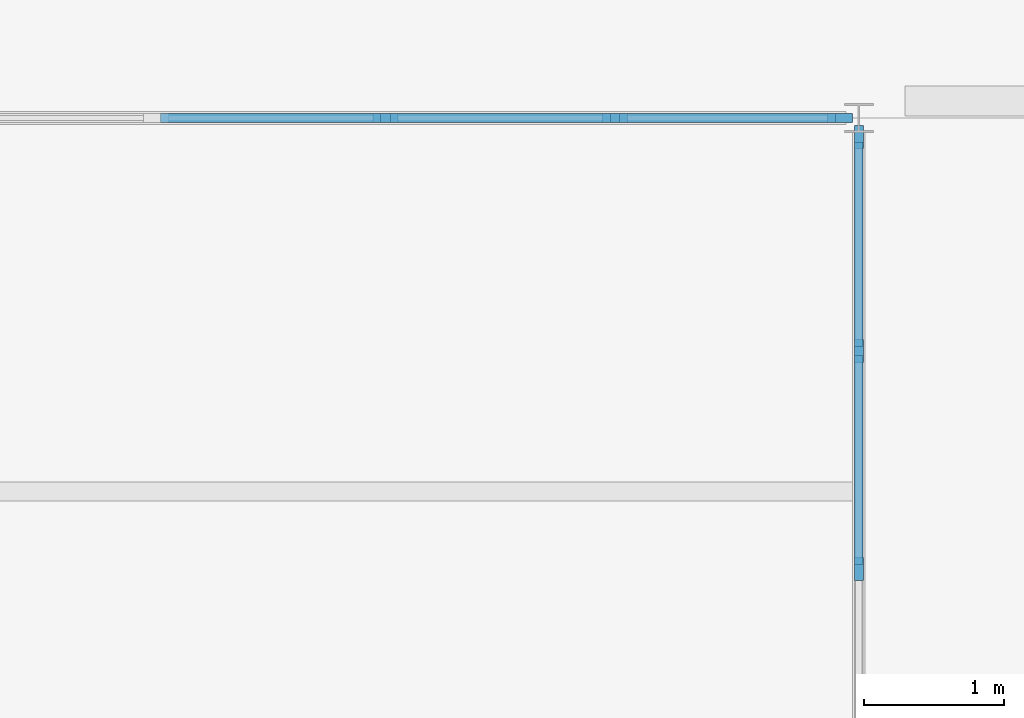
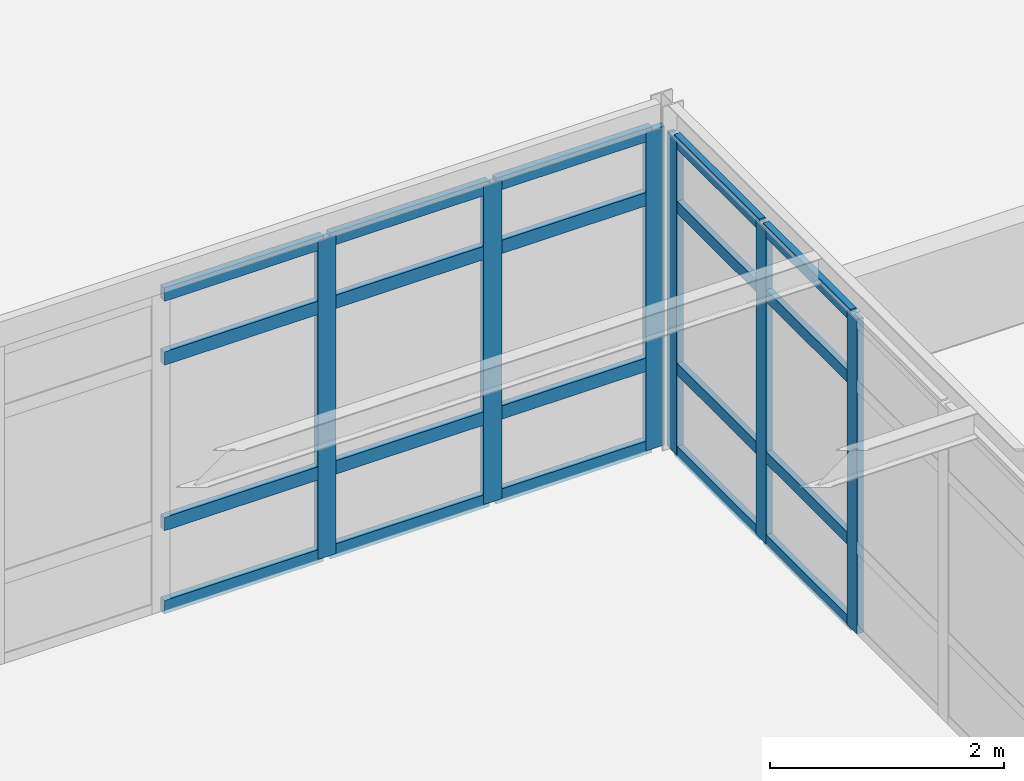
# One storey, part 18 of 32: 26 members, 2 elements without a shape of their own.
"""IFC4 building model written with IfcOpenShell, lengths in metres."""

from ifc_helpers import new_model, si_unit, direction, frame, origin, origin_2d, place, context, subcontext, project, spatial, rectangle, extrude, material, layer, layer_set, material_profile, profile_set, type_object, element, aggregate, save


model = new_model("IFC4")

# Units and contexts
model_context = context("Model", 3, precision=1e-05, world=origin(), true_north=direction((0.0, 1.0)))
body_context = subcontext(model_context, "Body", "Model", "MODEL_VIEW")
ifc_project = project(units=[si_unit("LENGTHUNIT", "METRE"), si_unit("AREAUNIT", "SQUARE_METRE"), si_unit("VOLUMEUNIT", "CUBIC_METRE"), si_unit("PLANEANGLEUNIT", "RADIAN"), si_unit("MASSUNIT", "GRAM", prefix="KILO")], contexts=[model_context])

# Site, building, storey
site_placement = place(None, origin())
site = spatial("IfcSite", under=ifc_project, at=site_placement, CompositionType="ELEMENT")
building_placement = place(site_placement, origin())
building = spatial("IfcBuilding", under=site, at=building_placement, Name="Kranzveld Transit Interchange", CompositionType="ELEMENT")
storey_placement = place(building_placement, frame((0.0, 0.0, 17.199951171875)))
storey = spatial("IfcBuildingStorey", under=building, at=storey_placement, Name="L04", CompositionType="ELEMENT", Elevation=17.199951171875)

# Curtain wall, members
ifc_material_1 = material(Name="Bronze-anodised thermally broken aluminium", Category="aluminium")
ifc_layer_1 = layer(ifc_material_1, 0.155029296875)
ifc_layer_set_1 = layer_set([ifc_layer_1], Name="Bronze-anodised thermally broken aluminium")
curtain_wall_type_1 = type_object("IfcCurtainWallType", Name="Operations Courtyard Glazed Screen CW-6", PredefinedType="USERDEFINED", material=ifc_layer_set_1)
curtain_wall_1_placement = place(storey_placement, origin())
curtain_wall_1 = element("IfcCurtainWall", 1, at=curtain_wall_1_placement, inside=storey, type_object=curtain_wall_type_1, Name="L04 Curtain Wall 15/M-15/N", ObjectType="CURTAIN WALL", PredefinedType="USERDEFINED")
ifc_material_2 = material(Name="Bronze-anodised thermally broken aluminium", Category="aluminium")
ifc_material_profile_1 = material_profile(ifc_material_2, rectangle(XDim=0.06494140625, YDim=0.1650390625, at=origin_2d()), Name="ALU MULLION 65x165")
ifc_profile_set_1 = profile_set([ifc_material_profile_1], Name="Bronze-anodised thermally broken aluminium")
member_type_1 = type_object("IfcMemberType", Name="Curtain Wall Mullion 65x165 Alu", PredefinedType="MULLION", material=ifc_profile_set_1)
member_1_placement = place(storey_placement, frame((117.60009765625, 92.779052734375, 0.0), z_axis=(0.0, 0.0, 1.0), x_axis=(-1.0, 0.0, 0.0)))
member_1 = element("IfcMember", 2, at=member_1_placement, type_object=member_type_1, Name="CW-6 mullion 4", PredefinedType="MULLION", context=body_context, shape_type="SweptSolid", body=[
    extrude(rectangle(XDim=0.06494140625, YDim=0.1650390625, at=origin_2d()), origin(), (0.0, 0.0, 1.0), 3.2900390625),
])
member_2_placement = place(storey_placement, frame((117.60009765625, 94.337158203125, 0.0), z_axis=(0.0, 0.0, 1.0), x_axis=(-1.0, 0.0, 0.0)))
member_2 = element("IfcMember", 3, at=member_2_placement, type_object=member_type_1, Name="CW-6 mullion 5", PredefinedType="MULLION", context=body_context, shape_type="SweptSolid", body=[
    extrude(rectangle(XDim=0.06494140625, YDim=0.1650390625, at=origin_2d()), origin(), (0.0, 0.0, 1.0), 3.2900390625),
])
member_3_placement = place(storey_placement, frame((117.60009765625, 95.86279296875, 0.0), z_axis=(0.0, 0.0, 1.0), x_axis=(-1.0, 0.0, 0.0)))
member_3 = element("IfcMember", 4, at=member_3_placement, type_object=member_type_1, Name="CW-6 mullion 6", PredefinedType="MULLION", context=body_context, shape_type="SweptSolid", body=[
    extrude(rectangle(XDim=0.06494140625, YDim=0.1650390625, at=origin_2d()), origin(), (0.0, 0.0, 1.0), 3.2900390625),
])

ifc_material_3 = material(Name="Bronze-anodised thermally broken aluminium", Category="aluminium")
ifc_layer_2 = layer(ifc_material_3, 0.18505859375)
ifc_layer_set_2 = layer_set([ifc_layer_2], Name="Bronze-anodised thermally broken aluminium")
curtain_wall_type_2 = type_object("IfcCurtainWallType", Name="Control Crown Observation Facade CW-5", PredefinedType="USERDEFINED", material=ifc_layer_set_2)
curtain_wall_2_placement = place(storey_placement, origin())
curtain_wall_2 = element("IfcCurtainWall", 5, at=curtain_wall_2_placement, inside=storey, type_object=curtain_wall_type_2, Name="L04 Curtain Wall 14/N-15/N", ObjectType="CURTAIN WALL", PredefinedType="USERDEFINED")
ifc_material_4 = material(Name="Bronze-anodised thermally broken aluminium", Category="aluminium")
ifc_material_profile_2 = material_profile(ifc_material_4, rectangle(XDim=0.06494140625, YDim=0.179931640625, at=origin_2d()), Name="ALU MULLION 65x180")
ifc_profile_set_2 = profile_set([ifc_material_profile_2], Name="Bronze-anodised thermally broken aluminium")
member_type_2 = type_object("IfcMemberType", Name="Curtain Wall Mullion 65x180 Alu", PredefinedType="MULLION", material=ifc_profile_set_2)
member_4_placement = place(storey_placement, frame((114.219482421875, 96.0, 0.0), z_axis=(0.0, 0.0, 1.0), x_axis=(0.0, 1.0, 0.0)))
member_4 = element("IfcMember", 6, at=member_4_placement, type_object=member_type_2, Name="CW-5 mullion 4", PredefinedType="MULLION", context=body_context, shape_type="SweptSolid", body=[
    extrude(rectangle(XDim=0.06494140625, YDim=0.179931640625, at=origin_2d()), origin(), (0.0, 0.0, 1.0), 3.330078125),
])
member_5_placement = place(storey_placement, frame((115.858154296875, 96.0, 0.0), z_axis=(0.0, 0.0, 1.0), x_axis=(0.0, 1.0, 0.0)))
member_5 = element("IfcMember", 7, at=member_5_placement, type_object=member_type_2, Name="CW-5 mullion 5", PredefinedType="MULLION", context=body_context, shape_type="SweptSolid", body=[
    extrude(rectangle(XDim=0.06494140625, YDim=0.179931640625, at=origin_2d()), origin(), (0.0, 0.0, 1.0), 3.330078125),
])
member_6_placement = place(storey_placement, frame((117.464599609375, 96.0, 0.0), z_axis=(0.0, 0.0, 1.0), x_axis=(0.0, 1.0, 0.0)))
member_6 = element("IfcMember", 8, at=member_6_placement, type_object=member_type_2, Name="CW-5 mullion 6", PredefinedType="MULLION", context=body_context, shape_type="SweptSolid", body=[
    extrude(rectangle(XDim=0.06494140625, YDim=0.179931640625, at=origin_2d()), origin(), (0.0, 0.0, 1.0), 3.330078125),
])

# Member
ifc_material_5 = material(Name="Bronze-anodised thermally broken aluminium", Category="aluminium")
ifc_material_profile_3 = material_profile(ifc_material_5, rectangle(XDim=0.06005859375, YDim=0.125, at=origin_2d()), Name="ALU TRANSOM 60x125")
ifc_profile_set_3 = profile_set([ifc_material_profile_3], Name="Bronze-anodised thermally broken aluminium")
member_type_3 = type_object("IfcMemberType", Name="Curtain Wall Transom 60x125 Alu", PredefinedType="USERDEFINED", material=ifc_profile_set_3)
member_7_placement = place(storey_placement, frame((117.60009765625, 92.8115234375, 0.030029296875), z_axis=(0.0, 1.0, 0.0), x_axis=(-1.0, 0.0, 0.0)))
member_7 = element("IfcMember", 9, at=member_7_placement, type_object=member_type_3, Name="CW-6 transom 4.1", ObjectType="TRANSOM", PredefinedType="USERDEFINED", context=body_context, shape_type="SweptSolid", body=[
    extrude(rectangle(XDim=0.06005859375, YDim=0.125, at=origin_2d()), origin(), (0.0, 0.0, 1.0), 1.4931640625),
])

member_8_placement = place(storey_placement, frame((117.60009765625, 92.8115234375, 0.900146484375), z_axis=(0.0, 1.0, 0.0), x_axis=(-1.0, 0.0, 0.0)))
member_8 = element("IfcMember", 10, at=member_8_placement, type_object=member_type_3, Name="CW-6 transom 4.2", ObjectType="TRANSOM", PredefinedType="USERDEFINED", context=body_context, shape_type="SweptSolid", body=[
    extrude(rectangle(XDim=0.06005859375, YDim=0.125, at=origin_2d()), origin(), (0.0, 0.0, 1.0), 1.4931640625),
])

member_9_placement = place(storey_placement, frame((117.60009765625, 92.8115234375, 2.590087890625), z_axis=(0.0, 1.0, 0.0), x_axis=(-1.0, 0.0, 0.0)))
member_9 = element("IfcMember", 11, at=member_9_placement, type_object=member_type_3, Name="CW-6 transom 4.3", ObjectType="TRANSOM", PredefinedType="USERDEFINED", context=body_context, shape_type="SweptSolid", body=[
    extrude(rectangle(XDim=0.06005859375, YDim=0.125, at=origin_2d()), origin(), (0.0, 0.0, 1.0), 1.4931640625),
])

member_10_placement = place(storey_placement, frame((117.60009765625, 92.8115234375, 3.260009765625), z_axis=(0.0, 1.0, 0.0), x_axis=(-1.0, 0.0, 0.0)))
member_10 = element("IfcMember", 12, at=member_10_placement, type_object=member_type_3, Name="CW-6 transom 4.4", ObjectType="TRANSOM", PredefinedType="USERDEFINED", context=body_context, shape_type="SweptSolid", body=[
    extrude(rectangle(XDim=0.06005859375, YDim=0.125, at=origin_2d()), origin(), (0.0, 0.0, 1.0), 1.4931640625),
])

member_11_placement = place(storey_placement, frame((117.60009765625, 94.36962890625, 0.030029296875), z_axis=(0.0, 1.0, 0.0), x_axis=(-1.0, 0.0, 0.0)))
member_11 = element("IfcMember", 13, at=member_11_placement, type_object=member_type_3, Name="CW-6 transom 5.1", ObjectType="TRANSOM", PredefinedType="USERDEFINED", context=body_context, shape_type="SweptSolid", body=[
    extrude(rectangle(XDim=0.06005859375, YDim=0.125, at=origin_2d()), origin(), (0.0, 0.0, 1.0), 1.46044921875),
])

member_12_placement = place(storey_placement, frame((117.60009765625, 94.36962890625, 0.900146484375), z_axis=(0.0, 1.0, 0.0), x_axis=(-1.0, 0.0, 0.0)))
member_12 = element("IfcMember", 14, at=member_12_placement, type_object=member_type_3, Name="CW-6 transom 5.2", ObjectType="TRANSOM", PredefinedType="USERDEFINED", context=body_context, shape_type="SweptSolid", body=[
    extrude(rectangle(XDim=0.06005859375, YDim=0.125, at=origin_2d()), origin(), (0.0, 0.0, 1.0), 1.46044921875),
])

member_13_placement = place(storey_placement, frame((117.60009765625, 94.36962890625, 2.590087890625), z_axis=(0.0, 1.0, 0.0), x_axis=(-1.0, 0.0, 0.0)))
member_13 = element("IfcMember", 15, at=member_13_placement, type_object=member_type_3, Name="CW-6 transom 5.3", ObjectType="TRANSOM", PredefinedType="USERDEFINED", context=body_context, shape_type="SweptSolid", body=[
    extrude(rectangle(XDim=0.06005859375, YDim=0.125, at=origin_2d()), origin(), (0.0, 0.0, 1.0), 1.46044921875),
])

member_14_placement = place(storey_placement, frame((117.60009765625, 94.36962890625, 3.260009765625), z_axis=(0.0, 1.0, 0.0), x_axis=(-1.0, 0.0, 0.0)))
member_14 = element("IfcMember", 16, at=member_14_placement, type_object=member_type_3, Name="CW-6 transom 5.4", ObjectType="TRANSOM", PredefinedType="USERDEFINED", context=body_context, shape_type="SweptSolid", body=[
    extrude(rectangle(XDim=0.06005859375, YDim=0.125, at=origin_2d()), origin(), (0.0, 0.0, 1.0), 1.46044921875),
])

aggregate(curtain_wall_1, [member_1, member_2, member_3, member_7, member_8, member_9, member_10, member_11, member_12, member_13, member_14])

ifc_material_6 = material(Name="Bronze-anodised thermally broken aluminium", Category="aluminium")
ifc_material_profile_4 = material_profile(ifc_material_6, rectangle(XDim=0.06494140625, YDim=0.139892578125, at=origin_2d()), Name="ALU TRANSOM 65x140")
ifc_profile_set_4 = profile_set([ifc_material_profile_4], Name="Bronze-anodised thermally broken aluminium")
member_type_4 = type_object("IfcMemberType", Name="Curtain Wall Transom 65x140 Alu", PredefinedType="USERDEFINED", material=ifc_profile_set_4)
member_15_placement = place(storey_placement, frame((112.613037109375, 96.0, 0.032470703125), z_axis=(1.0, 0.0, 0.0), x_axis=(0.0, 1.0, 0.0)))
member_15 = element("IfcMember", 17, at=member_15_placement, type_object=member_type_4, Name="CW-5 transom 3.1", ObjectType="TRANSOM", PredefinedType="USERDEFINED", context=body_context, shape_type="SweptSolid", body=[
    extrude(rectangle(XDim=0.06494140625, YDim=0.139892578125, at=origin_2d()), origin(), (0.0, 0.0, 1.0), 1.573974609375),
])

member_16_placement = place(storey_placement, frame((112.613037109375, 96.0, 0.900146484375), z_axis=(1.0, 0.0, 0.0), x_axis=(0.0, 1.0, 0.0)))
member_16 = element("IfcMember", 18, at=member_16_placement, type_object=member_type_4, Name="CW-5 transom 3.2", ObjectType="TRANSOM", PredefinedType="USERDEFINED", context=body_context, shape_type="SweptSolid", body=[
    extrude(rectangle(XDim=0.06494140625, YDim=0.139892578125, at=origin_2d()), origin(), (0.0, 0.0, 1.0), 1.573974609375),
])

member_17_placement = place(storey_placement, frame((112.613037109375, 96.0, 2.630126953125), z_axis=(1.0, 0.0, 0.0), x_axis=(0.0, 1.0, 0.0)))
member_17 = element("IfcMember", 19, at=member_17_placement, type_object=member_type_4, Name="CW-5 transom 3.3", ObjectType="TRANSOM", PredefinedType="USERDEFINED", context=body_context, shape_type="SweptSolid", body=[
    extrude(rectangle(XDim=0.06494140625, YDim=0.139892578125, at=origin_2d()), origin(), (0.0, 0.0, 1.0), 1.573974609375),
])

member_18_placement = place(storey_placement, frame((112.613037109375, 96.0, 3.297607421875), z_axis=(1.0, 0.0, 0.0), x_axis=(0.0, 1.0, 0.0)))
member_18 = element("IfcMember", 20, at=member_18_placement, type_object=member_type_4, Name="CW-5 transom 3.4", ObjectType="TRANSOM", PredefinedType="USERDEFINED", context=body_context, shape_type="SweptSolid", body=[
    extrude(rectangle(XDim=0.06494140625, YDim=0.139892578125, at=origin_2d()), origin(), (0.0, 0.0, 1.0), 1.573974609375),
])

member_19_placement = place(storey_placement, frame((114.251953125, 96.0, 0.032470703125), z_axis=(1.0, 0.0, 0.0), x_axis=(0.0, 1.0, 0.0)))
member_19 = element("IfcMember", 21, at=member_19_placement, type_object=member_type_4, Name="CW-5 transom 4.1", ObjectType="TRANSOM", PredefinedType="USERDEFINED", context=body_context, shape_type="SweptSolid", body=[
    extrude(rectangle(XDim=0.06494140625, YDim=0.139892578125, at=origin_2d()), origin(), (0.0, 0.0, 1.0), 1.57373046875),
])

member_20_placement = place(storey_placement, frame((114.251953125, 96.0, 0.900146484375), z_axis=(1.0, 0.0, 0.0), x_axis=(0.0, 1.0, 0.0)))
member_20 = element("IfcMember", 22, at=member_20_placement, type_object=member_type_4, Name="CW-5 transom 4.2", ObjectType="TRANSOM", PredefinedType="USERDEFINED", context=body_context, shape_type="SweptSolid", body=[
    extrude(rectangle(XDim=0.06494140625, YDim=0.139892578125, at=origin_2d()), origin(), (0.0, 0.0, 1.0), 1.57373046875),
])

member_21_placement = place(storey_placement, frame((114.251953125, 96.0, 2.630126953125), z_axis=(1.0, 0.0, 0.0), x_axis=(0.0, 1.0, 0.0)))
member_21 = element("IfcMember", 23, at=member_21_placement, type_object=member_type_4, Name="CW-5 transom 4.3", ObjectType="TRANSOM", PredefinedType="USERDEFINED", context=body_context, shape_type="SweptSolid", body=[
    extrude(rectangle(XDim=0.06494140625, YDim=0.139892578125, at=origin_2d()), origin(), (0.0, 0.0, 1.0), 1.57373046875),
])

member_22_placement = place(storey_placement, frame((114.251953125, 96.0, 3.297607421875), z_axis=(1.0, 0.0, 0.0), x_axis=(0.0, 1.0, 0.0)))
member_22 = element("IfcMember", 24, at=member_22_placement, type_object=member_type_4, Name="CW-5 transom 4.4", ObjectType="TRANSOM", PredefinedType="USERDEFINED", context=body_context, shape_type="SweptSolid", body=[
    extrude(rectangle(XDim=0.06494140625, YDim=0.139892578125, at=origin_2d()), origin(), (0.0, 0.0, 1.0), 1.57373046875),
])

member_23_placement = place(storey_placement, frame((115.890869140625, 96.0, 0.032470703125), z_axis=(1.0, 0.0, 0.0), x_axis=(0.0, 1.0, 0.0)))
member_23 = element("IfcMember", 25, at=member_23_placement, type_object=member_type_4, Name="CW-5 transom 5.1", ObjectType="TRANSOM", PredefinedType="USERDEFINED", context=body_context, shape_type="SweptSolid", body=[
    extrude(rectangle(XDim=0.06494140625, YDim=0.139892578125, at=origin_2d()), origin(), (0.0, 0.0, 1.0), 1.541259765625),
])

member_24_placement = place(storey_placement, frame((115.890869140625, 96.0, 0.900146484375), z_axis=(1.0, 0.0, 0.0), x_axis=(0.0, 1.0, 0.0)))
member_24 = element("IfcMember", 26, at=member_24_placement, type_object=member_type_4, Name="CW-5 transom 5.2", ObjectType="TRANSOM", PredefinedType="USERDEFINED", context=body_context, shape_type="SweptSolid", body=[
    extrude(rectangle(XDim=0.06494140625, YDim=0.139892578125, at=origin_2d()), origin(), (0.0, 0.0, 1.0), 1.541259765625),
])

member_25_placement = place(storey_placement, frame((115.890869140625, 96.0, 2.630126953125), z_axis=(1.0, 0.0, 0.0), x_axis=(0.0, 1.0, 0.0)))
member_25 = element("IfcMember", 27, at=member_25_placement, type_object=member_type_4, Name="CW-5 transom 5.3", ObjectType="TRANSOM", PredefinedType="USERDEFINED", context=body_context, shape_type="SweptSolid", body=[
    extrude(rectangle(XDim=0.06494140625, YDim=0.139892578125, at=origin_2d()), origin(), (0.0, 0.0, 1.0), 1.541259765625),
])

member_26_placement = place(storey_placement, frame((115.890869140625, 96.0, 3.297607421875), z_axis=(1.0, 0.0, 0.0), x_axis=(0.0, 1.0, 0.0)))
member_26 = element("IfcMember", 28, at=member_26_placement, type_object=member_type_4, Name="CW-5 transom 5.4", ObjectType="TRANSOM", PredefinedType="USERDEFINED", context=body_context, shape_type="SweptSolid", body=[
    extrude(rectangle(XDim=0.06494140625, YDim=0.139892578125, at=origin_2d()), origin(), (0.0, 0.0, 1.0), 1.541259765625),
])

aggregate(curtain_wall_2, [member_4, member_5, member_6, member_15, member_16, member_17, member_18, member_19, member_20, member_21, member_22, member_23, member_24, member_25, member_26])

save(model, "model.ifc")
